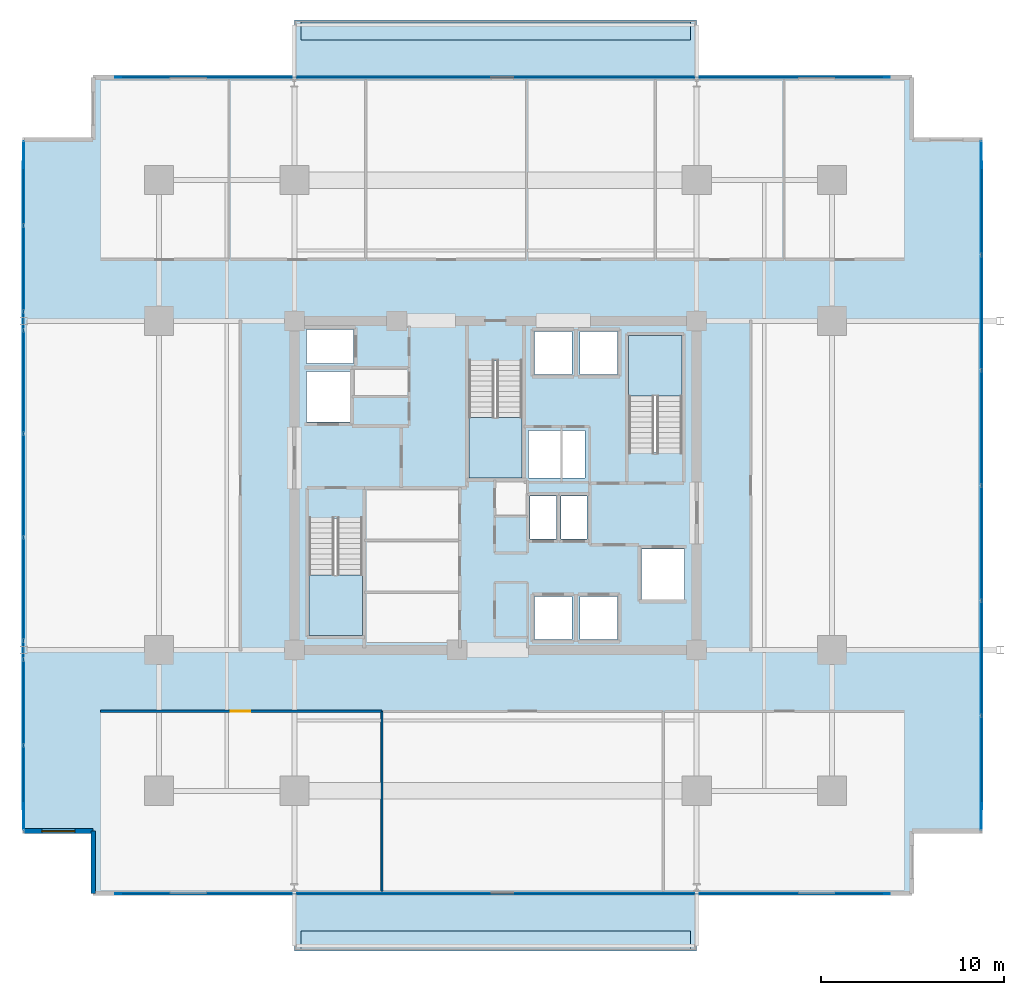
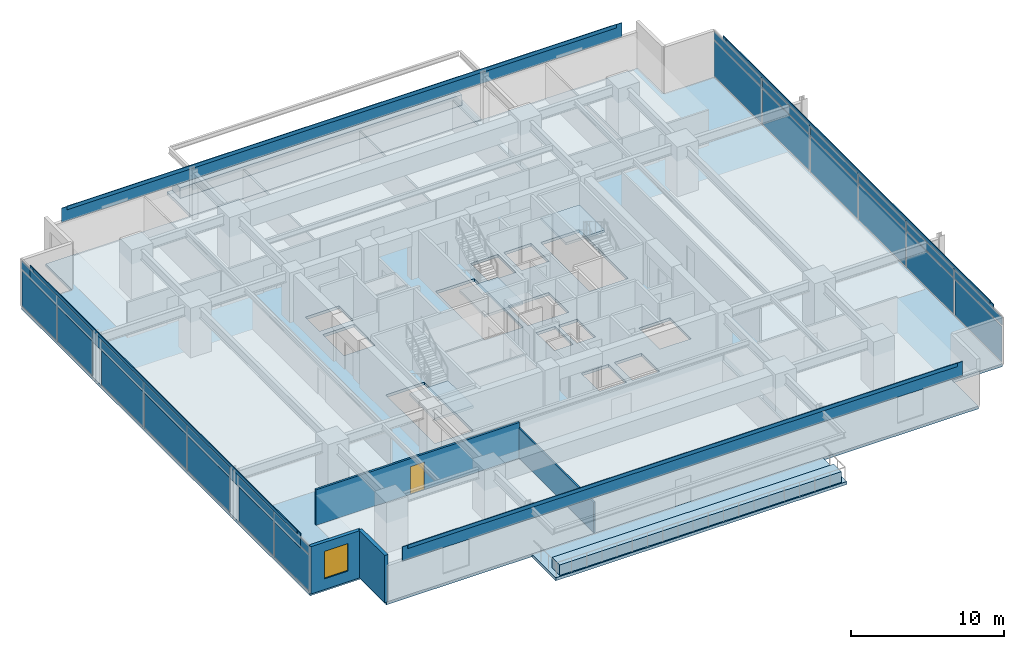
# One storey, part 14 of 23: 34 plates, 8 slabs, 4 walls, 1 door, 1 window, 2 openings, 7 elements without a shape of their own.
"""IFC4 building model written with IfcOpenShell, lengths in metres."""

from ifc_helpers import new_model, si_unit, direction, frame, frame_2d, origin, origin_2d, place, context, subcontext, project, spatial, polyline, rectangle, outline, extrude, material, layer, layer_set, type_object, element, fill, aggregate, save


model = new_model("IFC4")

# Units and contexts
model_context = context("Model", 3, precision=1e-05, world=origin(), true_north=direction((0.0, 1.0)))
body_context = subcontext(model_context, "Body", "Model", "MODEL_VIEW")
ifc_project = project(units=[si_unit("LENGTHUNIT", "METRE"), si_unit("AREAUNIT", "SQUARE_METRE"), si_unit("VOLUMEUNIT", "CUBIC_METRE"), si_unit("PLANEANGLEUNIT", "RADIAN"), si_unit("MASSUNIT", "GRAM", prefix="KILO")], contexts=[model_context])

# Site, building, storey
site_placement = place(None, origin())
site = spatial("IfcSite", under=ifc_project, at=site_placement, CompositionType="ELEMENT")
building_placement = place(site_placement, origin())
building = spatial("IfcBuilding", under=site, at=building_placement, Name="Kovane Verandah Tower", CompositionType="ELEMENT")
storey_placement = place(building_placement, frame((0.0, 0.0, 148.39990234375)))
storey = spatial("IfcBuildingStorey", under=building, at=storey_placement, Name="L34", CompositionType="ELEMENT", Elevation=148.39990234375)

# Curtain wall, plates
ifc_material_1 = material(Name="Champagne Anodised Aluminium Frame with Low-E Clear Laminated Glass", Category="aluminium")
curtain_wall_type = type_object("IfcCurtainWallType", Name="CW-SYS-03-MID", PredefinedType="NOTDEFINED", material=ifc_material_1)
curtain_wall_1_placement = place(storey_placement, origin())
curtain_wall_1 = element("IfcCurtainWall", 1, at=curtain_wall_1_placement, inside=storey, type_object=curtain_wall_type, Name="L34 E Unitised Curtain Wall", PredefinedType="NOTDEFINED")
ifc_material_2 = material(Name="Pale Champagne Anodised Aluminium Insulated Spandrel", Category="aluminium")
ifc_layer_1 = layer(ifc_material_2, 0.0400390625)
ifc_layer_set_1 = layer_set([ifc_layer_1], Name="Pale Champagne Anodised Aluminium Insulated Spandrel")
plate_type_1 = type_object("IfcPlateType", Name="PL-CW-SPD-40", PredefinedType="SHEET", material=ifc_layer_set_1)
plate_1_placement = place(storey_placement, frame((66.5634765625, 11.7470703125, 3.044921875), z_axis=(0.0, 0.0, 1.0), x_axis=(0.0, 1.0, 0.0)))
plate_1 = element("IfcPlate", 2, at=plate_1_placement, type_object=plate_type_1, Name="L34 E Unitised Curtain Wall Spandrel Panel 1", PredefinedType="SHEET", context=body_context, shape_type="SweptSolid", body=[
    extrude(rectangle(XDim=6.1611328125, YDim=0.0400390625, at=origin_2d()), origin(), (0.0, 0.0, 1.0), 0.639892578125),
])
plate_2_placement = place(storey_placement, frame((66.5634765625, 18.048095703125, 3.044921875), z_axis=(0.0, 0.0, 1.0), x_axis=(0.0, 1.0, 0.0)))
plate_2 = element("IfcPlate", 3, at=plate_2_placement, type_object=plate_type_1, Name="L34 E Unitised Curtain Wall Spandrel Panel 2", PredefinedType="SHEET", context=body_context, shape_type="SweptSolid", body=[
    extrude(rectangle(XDim=6.1611328125, YDim=0.0400390625, at=origin_2d()), origin(), (0.0, 0.0, 1.0), 0.639892578125),
])
plate_3_placement = place(storey_placement, frame((66.5634765625, 24.349365234375, 3.044921875), z_axis=(0.0, 0.0, 1.0), x_axis=(0.0, 1.0, 0.0)))
plate_3 = element("IfcPlate", 4, at=plate_3_placement, type_object=plate_type_1, Name="L34 E Unitised Curtain Wall Spandrel Panel 3", PredefinedType="SHEET", context=body_context, shape_type="SweptSolid", body=[
    extrude(rectangle(XDim=6.1611328125, YDim=0.0400390625, at=origin_2d()), origin(), (0.0, 0.0, 1.0), 0.639892578125),
])
plate_4_placement = place(storey_placement, frame((66.5634765625, 30.650634765625, 3.044921875), z_axis=(0.0, 0.0, 1.0), x_axis=(0.0, 1.0, 0.0)))
plate_4 = element("IfcPlate", 5, at=plate_4_placement, type_object=plate_type_1, Name="L34 E Unitised Curtain Wall Spandrel Panel 4", PredefinedType="SHEET", context=body_context, shape_type="SweptSolid", body=[
    extrude(rectangle(XDim=6.1611328125, YDim=0.0400390625, at=origin_2d()), origin(), (0.0, 0.0, 1.0), 0.639892578125),
])
plate_5_placement = place(storey_placement, frame((66.5634765625, 36.951904296875, 3.044921875), z_axis=(0.0, 0.0, 1.0), x_axis=(0.0, 1.0, 0.0)))
plate_5 = element("IfcPlate", 6, at=plate_5_placement, type_object=plate_type_1, Name="L34 E Unitised Curtain Wall Spandrel Panel 5", PredefinedType="SHEET", context=body_context, shape_type="SweptSolid", body=[
    extrude(rectangle(XDim=6.1611328125, YDim=0.0400390625, at=origin_2d()), origin(), (0.0, 0.0, 1.0), 0.639892578125),
])
plate_6_placement = place(storey_placement, frame((66.5634765625, 43.2529296875, 3.044921875), z_axis=(0.0, 0.0, 1.0), x_axis=(0.0, 1.0, 0.0)))
plate_6 = element("IfcPlate", 7, at=plate_6_placement, type_object=plate_type_1, Name="L34 E Unitised Curtain Wall Spandrel Panel 6", PredefinedType="SHEET", context=body_context, shape_type="SweptSolid", body=[
    extrude(rectangle(XDim=6.1611328125, YDim=0.0400390625, at=origin_2d()), origin(), (0.0, 0.0, 1.0), 0.639892578125),
])

curtain_wall_2_placement = place(storey_placement, origin())
curtain_wall_2 = element("IfcCurtainWall", 8, at=curtain_wall_2_placement, inside=storey, type_object=curtain_wall_type, Name="L34 W Unitised Curtain Wall-1", PredefinedType="NOTDEFINED")
plate_7_placement = place(storey_placement, frame((14.19482421875, 44.0576171875, 3.044921875), z_axis=(0.0, 0.0, 1.0), x_axis=(0.0, -1.0, 0.0)))
plate_7 = element("IfcPlate", 9, at=plate_7_placement, type_object=plate_type_1, Name="L34 W Unitised Curtain Wall-1 Spandrel Panel 1", PredefinedType="SHEET", context=body_context, shape_type="SweptSolid", body=[
    extrude(rectangle(XDim=4.5517578125, YDim=0.0400390625, at=origin_2d()), origin(), (0.0, 0.0, 1.0), 0.639892578125),
])
plate_8_placement = place(storey_placement, frame((14.19482421875, 39.365966796875, 3.044921875), z_axis=(0.0, 0.0, 1.0), x_axis=(0.0, -1.0, 0.0)))
plate_8 = element("IfcPlate", 10, at=plate_8_placement, type_object=plate_type_1, Name="L34 W Unitised Curtain Wall-1 Spandrel Panel 2", PredefinedType="SHEET", context=body_context, shape_type="SweptSolid", body=[
    extrude(rectangle(XDim=4.5517578125, YDim=0.0400390625, at=origin_2d()), origin(), (0.0, 0.0, 1.0), 0.639892578125),
])

curtain_wall_3_placement = place(storey_placement, origin())
curtain_wall_3 = element("IfcCurtainWall", 11, at=curtain_wall_3_placement, inside=storey, type_object=curtain_wall_type, Name="L34 W Unitised Curtain Wall-2", PredefinedType="NOTDEFINED")
plate_9_placement = place(storey_placement, frame((14.19482421875, 33.1533203125, 3.044921875), z_axis=(0.0, 0.0, 1.0), x_axis=(0.0, -1.0, 0.0)))
plate_9 = element("IfcPlate", 12, at=plate_9_placement, type_object=plate_type_1, Name="L34 W Unitised Curtain Wall-2 Spandrel Panel 1", PredefinedType="SHEET", context=body_context, shape_type="SweptSolid", body=[
    extrude(rectangle(XDim=5.51318359375, YDim=0.0400390625, at=origin_2d()), origin(), (0.0, 0.0, 1.0), 0.639892578125),
])
plate_10_placement = place(storey_placement, frame((14.19482421875, 27.5, 3.044921875), z_axis=(0.0, 0.0, 1.0), x_axis=(0.0, -1.0, 0.0)))
plate_10 = element("IfcPlate", 13, at=plate_10_placement, type_object=plate_type_1, Name="L34 W Unitised Curtain Wall-2 Spandrel Panel 2", PredefinedType="SHEET", context=body_context, shape_type="SweptSolid", body=[
    extrude(rectangle(XDim=5.51318359375, YDim=0.0400390625, at=origin_2d()), origin(), (0.0, 0.0, 1.0), 0.639892578125),
])
plate_11_placement = place(storey_placement, frame((14.19482421875, 21.8466796875, 3.044921875), z_axis=(0.0, 0.0, 1.0), x_axis=(0.0, -1.0, 0.0)))
plate_11 = element("IfcPlate", 14, at=plate_11_placement, type_object=plate_type_1, Name="L34 W Unitised Curtain Wall-2 Spandrel Panel 3", PredefinedType="SHEET", context=body_context, shape_type="SweptSolid", body=[
    extrude(rectangle(XDim=5.51318359375, YDim=0.0400390625, at=origin_2d()), origin(), (0.0, 0.0, 1.0), 0.639892578125),
])

curtain_wall_4_placement = place(storey_placement, origin())
curtain_wall_4 = element("IfcCurtainWall", 15, at=curtain_wall_4_placement, inside=storey, type_object=curtain_wall_type, Name="L34 W Unitised Curtain Wall-3", PredefinedType="NOTDEFINED")
plate_12_placement = place(storey_placement, frame((14.19482421875, 15.634033203125, 3.044921875), z_axis=(0.0, 0.0, 1.0), x_axis=(0.0, -1.0, 0.0)))
plate_12 = element("IfcPlate", 16, at=plate_12_placement, type_object=plate_type_1, Name="L34 W Unitised Curtain Wall-3 Spandrel Panel 1", PredefinedType="SHEET", context=body_context, shape_type="SweptSolid", body=[
    extrude(rectangle(XDim=4.5517578125, YDim=0.0400390625, at=origin_2d()), origin(), (0.0, 0.0, 1.0), 0.639892578125),
])
plate_13_placement = place(storey_placement, frame((14.19482421875, 10.9423828125, 3.044921875), z_axis=(0.0, 0.0, 1.0), x_axis=(0.0, -1.0, 0.0)))
plate_13 = element("IfcPlate", 17, at=plate_13_placement, type_object=plate_type_1, Name="L34 W Unitised Curtain Wall-3 Spandrel Panel 2", PredefinedType="SHEET", context=body_context, shape_type="SweptSolid", body=[
    extrude(rectangle(XDim=4.5517578125, YDim=0.0400390625, at=origin_2d()), origin(), (0.0, 0.0, 1.0), 0.639892578125),
])

# Plate
ifc_material_3 = material(Name="Clear Low-E Laminated Double Glazing", Category="glass")
ifc_layer_2 = layer(ifc_material_3, 0.031982421875)
ifc_layer_set_2 = layer_set([ifc_layer_2], Name="Clear Low-E Laminated Double Glazing")
plate_type_2 = type_object("IfcPlateType", Name="PL-CW-VIS-32", PredefinedType="CURTAIN_PANEL", material=ifc_layer_set_2)
plate_14_placement = place(storey_placement, frame((66.5634765625, 11.7470703125, 0.10009765625), z_axis=(0.0, 0.0, 1.0), x_axis=(0.0, 1.0, 0.0)))
plate_14 = element("IfcPlate", 18, at=plate_14_placement, type_object=plate_type_2, Name="L34 E Unitised Curtain Wall Vision Panel 1", PredefinedType="CURTAIN_PANEL", context=body_context, shape_type="SweptSolid", body=[
    extrude(rectangle(XDim=6.1611328125, YDim=0.031982421875, at=origin_2d()), origin(), (0.0, 0.0, 1.0), 2.844970703125),
])

plate_15_placement = place(storey_placement, frame((66.5634765625, 18.048095703125, 0.10009765625), z_axis=(0.0, 0.0, 1.0), x_axis=(0.0, 1.0, 0.0)))
plate_15 = element("IfcPlate", 19, at=plate_15_placement, type_object=plate_type_2, Name="L34 E Unitised Curtain Wall Vision Panel 2", PredefinedType="CURTAIN_PANEL", context=body_context, shape_type="SweptSolid", body=[
    extrude(rectangle(XDim=6.1611328125, YDim=0.031982421875, at=origin_2d()), origin(), (0.0, 0.0, 1.0), 2.844970703125),
])

plate_16_placement = place(storey_placement, frame((66.5634765625, 24.349365234375, 0.10009765625), z_axis=(0.0, 0.0, 1.0), x_axis=(0.0, 1.0, 0.0)))
plate_16 = element("IfcPlate", 20, at=plate_16_placement, type_object=plate_type_2, Name="L34 E Unitised Curtain Wall Vision Panel 3", PredefinedType="CURTAIN_PANEL", context=body_context, shape_type="SweptSolid", body=[
    extrude(rectangle(XDim=6.1611328125, YDim=0.031982421875, at=origin_2d()), origin(), (0.0, 0.0, 1.0), 2.844970703125),
])

plate_17_placement = place(storey_placement, frame((66.5634765625, 30.650634765625, 0.10009765625), z_axis=(0.0, 0.0, 1.0), x_axis=(0.0, 1.0, 0.0)))
plate_17 = element("IfcPlate", 21, at=plate_17_placement, type_object=plate_type_2, Name="L34 E Unitised Curtain Wall Vision Panel 4", PredefinedType="CURTAIN_PANEL", context=body_context, shape_type="SweptSolid", body=[
    extrude(rectangle(XDim=6.1611328125, YDim=0.031982421875, at=origin_2d()), origin(), (0.0, 0.0, 1.0), 2.844970703125),
])

plate_18_placement = place(storey_placement, frame((66.5634765625, 36.951904296875, 0.10009765625), z_axis=(0.0, 0.0, 1.0), x_axis=(0.0, 1.0, 0.0)))
plate_18 = element("IfcPlate", 22, at=plate_18_placement, type_object=plate_type_2, Name="L34 E Unitised Curtain Wall Vision Panel 5", PredefinedType="CURTAIN_PANEL", context=body_context, shape_type="SweptSolid", body=[
    extrude(rectangle(XDim=6.1611328125, YDim=0.031982421875, at=origin_2d()), origin(), (0.0, 0.0, 1.0), 2.844970703125),
])

plate_19_placement = place(storey_placement, frame((66.5634765625, 43.2529296875, 0.10009765625), z_axis=(0.0, 0.0, 1.0), x_axis=(0.0, 1.0, 0.0)))
plate_19 = element("IfcPlate", 23, at=plate_19_placement, type_object=plate_type_2, Name="L34 E Unitised Curtain Wall Vision Panel 6", PredefinedType="CURTAIN_PANEL", context=body_context, shape_type="SweptSolid", body=[
    extrude(rectangle(XDim=6.1611328125, YDim=0.031982421875, at=origin_2d()), origin(), (0.0, 0.0, 1.0), 2.844970703125),
])

aggregate(curtain_wall_1, [plate_14, plate_1, plate_15, plate_2, plate_16, plate_3, plate_17, plate_4, plate_18, plate_5, plate_19, plate_6])

plate_20_placement = place(storey_placement, frame((14.19482421875, 44.0576171875, 0.10009765625), z_axis=(0.0, 0.0, 1.0), x_axis=(0.0, -1.0, 0.0)))
plate_20 = element("IfcPlate", 24, at=plate_20_placement, type_object=plate_type_2, Name="L34 W Unitised Curtain Wall-1 Vision Panel 1", PredefinedType="CURTAIN_PANEL", context=body_context, shape_type="SweptSolid", body=[
    extrude(rectangle(XDim=4.5517578125, YDim=0.031982421875, at=origin_2d()), origin(), (0.0, 0.0, 1.0), 2.844970703125),
])

plate_21_placement = place(storey_placement, frame((14.19482421875, 39.365966796875, 0.10009765625), z_axis=(0.0, 0.0, 1.0), x_axis=(0.0, -1.0, 0.0)))
plate_21 = element("IfcPlate", 25, at=plate_21_placement, type_object=plate_type_2, Name="L34 W Unitised Curtain Wall-1 Vision Panel 2", PredefinedType="CURTAIN_PANEL", context=body_context, shape_type="SweptSolid", body=[
    extrude(rectangle(XDim=4.5517578125, YDim=0.031982421875, at=origin_2d()), origin(), (0.0, 0.0, 1.0), 2.844970703125),
])

aggregate(curtain_wall_2, [plate_20, plate_7, plate_21, plate_8])

plate_22_placement = place(storey_placement, frame((14.19482421875, 33.1533203125, 0.10009765625), z_axis=(0.0, 0.0, 1.0), x_axis=(0.0, -1.0, 0.0)))
plate_22 = element("IfcPlate", 26, at=plate_22_placement, type_object=plate_type_2, Name="L34 W Unitised Curtain Wall-2 Vision Panel 1", PredefinedType="CURTAIN_PANEL", context=body_context, shape_type="SweptSolid", body=[
    extrude(rectangle(XDim=5.51318359375, YDim=0.031982421875, at=origin_2d()), origin(), (0.0, 0.0, 1.0), 2.844970703125),
])

plate_23_placement = place(storey_placement, frame((14.19482421875, 27.5, 0.10009765625), z_axis=(0.0, 0.0, 1.0), x_axis=(0.0, -1.0, 0.0)))
plate_23 = element("IfcPlate", 27, at=plate_23_placement, type_object=plate_type_2, Name="L34 W Unitised Curtain Wall-2 Vision Panel 2", PredefinedType="CURTAIN_PANEL", context=body_context, shape_type="SweptSolid", body=[
    extrude(rectangle(XDim=5.51318359375, YDim=0.031982421875, at=origin_2d()), origin(), (0.0, 0.0, 1.0), 2.844970703125),
])

plate_24_placement = place(storey_placement, frame((14.19482421875, 21.8466796875, 0.10009765625), z_axis=(0.0, 0.0, 1.0), x_axis=(0.0, -1.0, 0.0)))
plate_24 = element("IfcPlate", 28, at=plate_24_placement, type_object=plate_type_2, Name="L34 W Unitised Curtain Wall-2 Vision Panel 3", PredefinedType="CURTAIN_PANEL", context=body_context, shape_type="SweptSolid", body=[
    extrude(rectangle(XDim=5.51318359375, YDim=0.031982421875, at=origin_2d()), origin(), (0.0, 0.0, 1.0), 2.844970703125),
])

aggregate(curtain_wall_3, [plate_22, plate_9, plate_23, plate_10, plate_24, plate_11])

plate_25_placement = place(storey_placement, frame((14.19482421875, 15.634033203125, 0.10009765625), z_axis=(0.0, 0.0, 1.0), x_axis=(0.0, -1.0, 0.0)))
plate_25 = element("IfcPlate", 29, at=plate_25_placement, type_object=plate_type_2, Name="L34 W Unitised Curtain Wall-3 Vision Panel 1", PredefinedType="CURTAIN_PANEL", context=body_context, shape_type="SweptSolid", body=[
    extrude(rectangle(XDim=4.5517578125, YDim=0.031982421875, at=origin_2d()), origin(), (0.0, 0.0, 1.0), 2.844970703125),
])

plate_26_placement = place(storey_placement, frame((14.19482421875, 10.9423828125, 0.10009765625), z_axis=(0.0, 0.0, 1.0), x_axis=(0.0, -1.0, 0.0)))
plate_26 = element("IfcPlate", 30, at=plate_26_placement, type_object=plate_type_2, Name="L34 W Unitised Curtain Wall-3 Vision Panel 2", PredefinedType="CURTAIN_PANEL", context=body_context, shape_type="SweptSolid", body=[
    extrude(rectangle(XDim=4.5517578125, YDim=0.031982421875, at=origin_2d()), origin(), (0.0, 0.0, 1.0), 2.844970703125),
])

aggregate(curtain_wall_4, [plate_25, plate_12, plate_26, plate_13])

# Plates
ifc_material_4 = material(Name="Perforated Pale Champagne Anodised Aluminium Solar Screen", Category="aluminium")
ifc_layer_3 = layer(ifc_material_4, 0.050048828125)
ifc_layer_set_3 = layer_set([ifc_layer_3], Name="Perforated Pale Champagne Anodised Aluminium Solar Screen")
plate_type_3 = type_object("IfcPlateType", Name="PL-SCREEN-50", PredefinedType="USERDEFINED", material=ifc_layer_set_3)
plate_27_placement = place(storey_placement, frame((40.379150390625, 5.181396484375, 2.875244140625), z_axis=(0.0, 0.0, 1.0), x_axis=(1.0, 0.0, 0.0)))
element("IfcPlate", 31, at=plate_27_placement, inside=storey, type_object=plate_type_3, Name="L34 S Perforated Champagne-Gold Solar Screen", ObjectType="SCREEN", PredefinedType="USERDEFINED", context=body_context, shape_type="SweptSolid", body=[
    extrude(rectangle(XDim=42.368896484375, YDim=0.050048828125, at=origin_2d()), origin(), (0.0, 0.0, 1.0), 1.14990234375),
])
plate_28_placement = place(storey_placement, frame((66.57861328125, 27.5, 2.875244140625), z_axis=(0.0, 0.0, 1.0), x_axis=(0.0, 1.0, 0.0)))
element("IfcPlate", 32, at=plate_28_placement, inside=storey, type_object=plate_type_3, Name="L34 E Perforated Champagne-Gold Solar Screen", ObjectType="SCREEN", PredefinedType="USERDEFINED", context=body_context, shape_type="SweptSolid", body=[
    extrude(rectangle(XDim=35.406982421875, YDim=0.050048828125, at=origin_2d()), origin(), (0.0, 0.0, 1.0), 1.14990234375),
])
plate_29_placement = place(storey_placement, frame((40.379150390625, 49.818603515625, 2.875244140625), z_axis=(0.0, 0.0, 1.0), x_axis=(-1.0, 0.0, 0.0)))
element("IfcPlate", 33, at=plate_29_placement, inside=storey, type_object=plate_type_3, Name="L34 N Perforated Champagne-Gold Solar Screen", ObjectType="SCREEN", PredefinedType="USERDEFINED", context=body_context, shape_type="SweptSolid", body=[
    extrude(rectangle(XDim=42.368896484375, YDim=0.050048828125, at=origin_2d()), origin(), (0.0, 0.0, 1.0), 1.14990234375),
])
plate_30_placement = place(storey_placement, frame((14.1796875, 27.5, 2.875244140625), z_axis=(0.0, 0.0, 1.0), x_axis=(0.0, -1.0, 0.0)))
element("IfcPlate", 34, at=plate_30_placement, inside=storey, type_object=plate_type_3, Name="L34 W Perforated Champagne-Gold Solar Screen", ObjectType="SCREEN", PredefinedType="USERDEFINED", context=body_context, shape_type="SweptSolid", body=[
    extrude(rectangle(XDim=35.406982421875, YDim=0.050048828125, at=origin_2d()), origin(), (0.0, 0.0, 1.0), 1.14990234375),
])
ifc_material_5 = material(Name="Extruded Pale-Bronze Aluminium Aerofoil Sunshade", Category="aluminium")
ifc_layer_4 = layer(ifc_material_5, 0.06005859375)
ifc_layer_set_4 = layer_set([ifc_layer_4], Name="Extruded Pale-Bronze Aluminium Aerofoil Sunshade")
plate_type_4 = type_object("IfcPlateType", Name="PL-SUNSHADE-60", PredefinedType="USERDEFINED", material=ifc_layer_set_4)
plate_31_placement = place(storey_placement, frame((40.379150390625, 5.176513671875, 3.7548828125), z_axis=(0.0, 0.0, 1.0), x_axis=(1.0, 0.0, 0.0)))
element("IfcPlate", 35, at=plate_31_placement, inside=storey, type_object=plate_type_4, Name="L34 S Subtropical Aerofoil Sunshade", ObjectType="SUNSHADE", PredefinedType="USERDEFINED", context=body_context, shape_type="SweptSolid", body=[
    extrude(rectangle(XDim=41.569091796875, YDim=0.06005859375, at=origin_2d()), origin(), (0.0, 0.0, 1.0), 0.280029296875),
])
plate_32_placement = place(storey_placement, frame((66.58349609375, 27.5, 3.7548828125), z_axis=(0.0, 0.0, 1.0), x_axis=(0.0, 1.0, 0.0)))
element("IfcPlate", 36, at=plate_32_placement, inside=storey, type_object=plate_type_4, Name="L34 E Subtropical Aerofoil Sunshade", ObjectType="SUNSHADE", PredefinedType="USERDEFINED", context=body_context, shape_type="SweptSolid", body=[
    extrude(rectangle(XDim=34.60693359375, YDim=0.06005859375, at=origin_2d()), origin(), (0.0, 0.0, 1.0), 0.280029296875),
])
plate_33_placement = place(storey_placement, frame((40.379150390625, 49.823486328125, 3.7548828125), z_axis=(0.0, 0.0, 1.0), x_axis=(-1.0, 0.0, 0.0)))
element("IfcPlate", 37, at=plate_33_placement, inside=storey, type_object=plate_type_4, Name="L34 N Subtropical Aerofoil Sunshade", ObjectType="SUNSHADE", PredefinedType="USERDEFINED", context=body_context, shape_type="SweptSolid", body=[
    extrude(rectangle(XDim=41.569091796875, YDim=0.06005859375, at=origin_2d()), origin(), (0.0, 0.0, 1.0), 0.280029296875),
])
plate_34_placement = place(storey_placement, frame((14.1748046875, 27.5, 3.7548828125), z_axis=(0.0, 0.0, 1.0), x_axis=(0.0, -1.0, 0.0)))
element("IfcPlate", 38, at=plate_34_placement, inside=storey, type_object=plate_type_4, Name="L34 W Subtropical Aerofoil Sunshade", ObjectType="SUNSHADE", PredefinedType="USERDEFINED", context=body_context, shape_type="SweptSolid", body=[
    extrude(rectangle(XDim=34.60693359375, YDim=0.06005859375, at=origin_2d()), origin(), (0.0, 0.0, 1.0), 0.280029296875),
])

# Slabs
ifc_material_6 = material(Name="Concrete C45/55", Category="concrete")
ifc_layer_5 = layer(ifc_material_6, 0.239990234375)
ifc_layer_set_5 = layer_set([ifc_layer_5], Name="Concrete C45/55")
slab_type_1 = type_object("IfcSlabType", Name="SL-BALC-240", PredefinedType="FLOOR", material=ifc_layer_set_5)
slab_1_placement = place(storey_placement, frame((0.0, 0.0, -0.239990234375)))
element("IfcSlab", 39, at=slab_1_placement, inside=storey, type_object=slab_type_1, Name="L34 N Planted Verandah Balcony Slab", PredefinedType="FLOOR", context=body_context, shape_type="SweptSolid", body=[
    extrude(outline(polyline([(29.0, 49.8037109375), (51.0, 49.8037109375), (51.0, 52.95361328125), (29.0, 52.95361328125), (29.0, 49.8037109375)])), origin(), (0.0, 0.0, 1.0), 0.239990234375),
])
slab_2_placement = place(storey_placement, frame((0.0, 0.0, -0.239990234375)))
element("IfcSlab", 40, at=slab_2_placement, inside=storey, type_object=slab_type_1, Name="L34 S Planted Verandah Balcony Slab", PredefinedType="FLOOR", context=body_context, shape_type="SweptSolid", body=[
    extrude(outline(polyline([(29.0, 2.04638671875), (51.0, 2.04638671875), (51.0, 5.1962890625), (29.0, 5.1962890625), (29.0, 2.04638671875)])), origin(), (0.0, 0.0, 1.0), 0.239990234375),
])

# Stair, slab
stair_type = type_object("IfcStairType", Name="ST-CORE-1380", PredefinedType="HALF_TURN_STAIR", material=ifc_material_6)
stair_1_placement = place(storey_placement, origin())
stair_1 = element("IfcStair", 41, at=stair_1_placement, inside=storey, type_object=stair_type, Name="L34 Exit Stair ST-01", PredefinedType="HALF_TURN_STAIR")
ifc_layer_6 = layer(ifc_material_6, 0.199951171875)
ifc_layer_set_6 = layer_set([ifc_layer_6], Name="Concrete C45/55")
slab_type_2 = type_object("IfcSlabType", Name="SL-LAND-200", PredefinedType="LANDING", material=ifc_layer_set_6)
slab_3_placement = place(storey_placement, frame((0.0, 0.0, 1.800048828125)))
slab_3 = element("IfcSlab", 42, at=slab_3_placement, type_object=slab_type_2, Name="ST-01 landing 1", PredefinedType="LANDING", context=body_context, shape_type="SweptSolid", body=[
    extrude(outline(polyline([(29.800048828125, 22.614990234375), (29.800048828125, 19.300048828125), (32.719970703125, 19.300048828125), (32.719970703125, 22.614990234375), (29.800048828125, 22.614990234375)])), origin(), (0.0, 0.0, 1.0), 0.199951171875),
])
aggregate(stair_1, [slab_3])

stair_2_placement = place(storey_placement, origin())
stair_2 = element("IfcStair", 43, at=stair_2_placement, inside=storey, type_object=stair_type, Name="L34 Exit Stair ST-02", PredefinedType="HALF_TURN_STAIR")
slab_4_placement = place(storey_placement, frame((0.0, 0.0, 1.800048828125)))
slab_4 = element("IfcSlab", 44, at=slab_4_placement, type_object=slab_type_2, Name="ST-02 landing 1", PredefinedType="LANDING", context=body_context, shape_type="SweptSolid", body=[
    extrude(outline(polyline([(50.199951171875, 32.385009765625), (50.199951171875, 35.699951171875), (47.280029296875, 35.699951171875), (47.280029296875, 32.385009765625), (50.199951171875, 32.385009765625)])), origin(), (0.0, 0.0, 1.0), 0.199951171875),
])
aggregate(stair_2, [slab_4])

stair_3_placement = place(storey_placement, origin())
stair_3 = element("IfcStair", 45, at=stair_3_placement, inside=storey, type_object=stair_type, Name="L34 Exit Stair ST-03", PredefinedType="HALF_TURN_STAIR")
slab_5_placement = place(storey_placement, frame((0.0, 0.0, 1.800048828125)))
slab_5 = element("IfcSlab", 46, at=slab_5_placement, type_object=slab_type_2, Name="ST-03 landing 1", PredefinedType="LANDING", context=body_context, shape_type="SweptSolid", body=[
    extrude(outline(polyline([(38.5400390625, 31.215087890625), (38.5400390625, 27.89990234375), (41.4599609375, 27.89990234375), (41.4599609375, 31.215087890625), (38.5400390625, 31.215087890625)])), origin(), (0.0, 0.0, 1.0), 0.199951171875),
])
aggregate(stair_3, [slab_5])

# Slabs
ifc_layer_7 = layer(ifc_material_6, 0.22509765625)
ifc_layer_set_7 = layer_set([ifc_layer_7], Name="Concrete C45/55")
slab_type_3 = type_object("IfcSlabType", Name="SL-MID-225", PredefinedType="FLOOR", material=ifc_layer_set_7)
slab_6_placement = place(storey_placement, frame((0.0, 0.0, -0.224853515625)))
element("IfcSlab", 47, at=slab_6_placement, inside=storey, type_object=slab_type_3, Name="L34 Structural Floor Slab", PredefinedType="FLOOR", context=body_context, shape_type="SweptSolid", body=[
    extrude(outline(polyline([(17.994873046875, 5.1962890625), (62.763427734375, 5.1962890625), (62.763427734375, 8.596435546875), (66.5634765625, 8.596435546875), (66.5634765625, 46.403564453125), (62.763427734375, 46.403564453125), (62.763427734375, 49.8037109375), (17.994873046875, 49.8037109375), (17.994873046875, 46.403564453125), (14.19482421875, 46.403564453125), (14.19482421875, 8.596435546875), (17.994873046875, 8.596435546875), (17.994873046875, 5.1962890625)]), holes=[polyline([(29.800048828125, 19.300048828125), (32.719970703125, 19.300048828125), (32.719970703125, 25.705078125), (29.800048828125, 25.705078125), (29.800048828125, 19.300048828125)]), polyline([(47.280029296875, 29.294921875), (50.199951171875, 29.294921875), (50.199951171875, 35.699951171875), (47.280029296875, 35.699951171875), (47.280029296875, 29.294921875)]), polyline([(38.5400390625, 27.89990234375), (41.4599609375, 27.89990234375), (41.4599609375, 34.304931640625), (38.5400390625, 34.304931640625), (38.5400390625, 27.89990234375)]), polyline([(29.669921875, 30.969970703125), (32.030029296875, 30.969970703125), (32.030029296875, 33.72998046875), (29.669921875, 33.72998046875), (29.669921875, 30.969970703125)]), polyline([(47.969970703125, 21.27001953125), (50.330078125, 21.27001953125), (50.330078125, 24.030029296875), (47.969970703125, 24.030029296875), (47.969970703125, 21.27001953125)]), polyline([(29.669921875, 34.169921875), (32.22998046875, 34.169921875), (32.22998046875, 36.030029296875), (29.669921875, 36.030029296875), (29.669921875, 34.169921875)]), polyline([(42.1201171875, 19.070068359375), (44.179931640625, 19.070068359375), (44.179931640625, 21.429931640625), (42.1201171875, 21.429931640625), (42.1201171875, 19.070068359375)]), polyline([(44.6201171875, 19.070068359375), (46.679931640625, 19.070068359375), (46.679931640625, 21.429931640625), (44.6201171875, 21.429931640625), (44.6201171875, 19.070068359375)]), polyline([(41.8798828125, 24.570068359375), (43.320068359375, 24.570068359375), (43.320068359375, 26.929931640625), (41.8798828125, 26.929931640625), (41.8798828125, 24.570068359375)]), polyline([(43.580078125, 24.570068359375), (45.0, 24.570068359375), (45.0, 26.929931640625), (43.580078125, 26.929931640625), (43.580078125, 24.570068359375)]), polyline([(42.1201171875, 33.570068359375), (44.179931640625, 33.570068359375), (44.179931640625, 35.929931640625), (42.1201171875, 35.929931640625), (42.1201171875, 33.570068359375)]), polyline([(44.6201171875, 33.570068359375), (46.679931640625, 33.570068359375), (46.679931640625, 35.929931640625), (44.6201171875, 35.929931640625), (44.6201171875, 33.570068359375)]), polyline([(41.800048828125, 27.89990234375), (44.89990234375, 27.89990234375), (44.89990234375, 30.5), (41.800048828125, 30.5), (41.800048828125, 27.89990234375)])]), origin(), (0.0, 0.0, 1.0), 0.224853515625),
])
ifc_material_7 = material(Name="Architectural Precast Concrete C45/55 Planter Trough", Category="concrete")
ifc_layer_8 = layer(ifc_material_7, 0.219970703125)
ifc_layer_set_8 = layer_set([ifc_layer_8], Name="Architectural Precast Concrete C45/55 Planter Trough")
slab_type_4 = type_object("IfcSlabType", Name="SL-PLANTER-220", PredefinedType="USERDEFINED", material=ifc_layer_set_8)
slab_7_placement = place(storey_placement, origin())
element("IfcSlab", 48, at=slab_7_placement, inside=storey, type_object=slab_type_4, Name="L34 N Structural Tree Planter", ObjectType="PLANTER", PredefinedType="USERDEFINED", context=body_context, shape_type="SweptSolid", body=[
    extrude(outline(polyline([(29.35009765625, 51.853515625), (50.64990234375, 51.853515625), (50.64990234375, 52.853515625), (29.35009765625, 52.853515625), (29.35009765625, 51.853515625)])), origin(), (0.0, 0.0, 1.0), 0.85009765625),
])
slab_8_placement = place(storey_placement, origin())
element("IfcSlab", 49, at=slab_8_placement, inside=storey, type_object=slab_type_4, Name="L34 S Structural Tree Planter", ObjectType="PLANTER", PredefinedType="USERDEFINED", context=body_context, shape_type="SweptSolid", body=[
    extrude(outline(polyline([(29.35009765625, 2.146484375), (50.64990234375, 2.146484375), (50.64990234375, 3.146484375), (29.35009765625, 3.146484375), (29.35009765625, 2.146484375)])), origin(), (0.0, 0.0, 1.0), 0.85009765625),
])

# Wall, opening, door
ifc_material_8 = material(Name="Fire-Rated Gypsum Stud Partition", Category="gypsum")
ifc_layer_9 = layer(ifc_material_8, 0.14990234375)
ifc_layer_set_9 = layer_set([ifc_layer_9], Name="Fire-Rated Gypsum Stud Partition")
wall_type_1 = type_object("IfcWallType", Name="WL-COR-150", PredefinedType="PARTITIONING", material=ifc_layer_set_9)
wall_1_placement = place(storey_placement, frame((18.394775390625, 15.14990234375, 0.0), z_axis=(0.0, 0.0, 1.0), x_axis=(1.0, 0.0, 0.0)))
wall_1 = element("IfcWall", 50, at=wall_1_placement, inside=storey, type_object=wall_type_1, Name="L34 Executive Office S1 Corridor Partition", PredefinedType="PARTITIONING", context=body_context, shape_type="SweptSolid", body=[
    extrude(rectangle(XDim=15.388916015625, YDim=0.14990234375, at=frame_2d((7.6943359375, 0.0))), origin(), (0.0, 0.0, 1.0), 2.85009765625),
])
opening_1_placement = place(wall_1_placement, frame((7.134521484375, 0.0, 0.0)))
opening_1 = element("IfcOpeningElement", 51, at=opening_1_placement, cuts=wall_1, Name="Opening DR-L34-025", PredefinedType="OPENING", context=body_context, shape_type="SweptSolid", body=[
    extrude(rectangle(XDim=1.050048828125, YDim=2.199951171875, at=frame_2d((0.52490234375, 1.10009765625))), frame((0.0, 0.074951171875, 0.0), z_axis=(0.0, -1.0, 0.0), x_axis=(1.0, 0.0, 0.0)), (0.0, 0.0, 1.0), 0.14990234375),
])
ifc_material_9 = material(Name="FSC Blackbutt Timber Fire-Rated Executive Door", Category="wood")
door_type = type_object("IfcDoorType", Name="DR-EXEC-1050", OperationType="SINGLE_SWING_LEFT", PredefinedType="DOOR", material=ifc_material_9)
door_placement = place(opening_1_placement, origin())
door = element("IfcDoor", 52, at=door_placement, inside=storey, type_object=door_type, Name="L34 Executive Office S1 Entrance Door", OperationType="SINGLE_SWING_LEFT", OverallHeight=2.199951171875, OverallWidth=1.050048828125, PredefinedType="DOOR", context=body_context, shape_type="SweptSolid", body=[
    extrude(rectangle(XDim=1.050048828125, YDim=2.199951171875, at=frame_2d((0.52490234375, 1.10009765625))), frame((0.0, 0.02490234375, 0.0), z_axis=(0.0, -1.0, 0.0), x_axis=(1.0, 0.0, 0.0)), (0.0, 0.0, 1.0), 0.050048828125),
])
fill(opening_1, door)

# Wall
ifc_material_10 = material(Name="Acoustic Fire-Rated Gypsum Partition", Category="gypsum")
ifc_layer_10 = layer(ifc_material_10, 0.1201171875)
ifc_layer_set_10 = layer_set([ifc_layer_10], Name="Acoustic Fire-Rated Gypsum Partition")
wall_type_2 = type_object("IfcWallType", Name="WL-PART-120", PredefinedType="PARTITIONING", material=ifc_layer_set_10)
wall_2_placement = place(storey_placement, frame((33.78369140625, 5.29638671875, 0.0), z_axis=(0.0, 0.0, 1.0), x_axis=(0.0, 1.0, 0.0)))
element("IfcWall", 53, at=wall_2_placement, inside=storey, type_object=wall_type_2, Name="L34 Executive Office S1 Dividing Partition", PredefinedType="PARTITIONING", context=body_context, shape_type="SweptSolid", body=[
    extrude(rectangle(XDim=9.853515625, YDim=0.1201171875, at=frame_2d((4.9267578125, 0.0))), origin(), (0.0, 0.0, 1.0), 2.405029296875),
])

# Wall, opening, window
ifc_material_11 = material(Name="Concrete C45/55 Insulated Spandrel Wall", Category="concrete")
ifc_layer_11 = layer(ifc_material_11, 0.260009765625)
ifc_layer_set_11 = layer_set([ifc_layer_11], Name="Concrete C45/55 Insulated Spandrel Wall")
wall_type_3 = type_object("IfcWallType", Name="WL-SPANDREL-260", PredefinedType="PARAPET", material=ifc_layer_set_11)
wall_3_placement = place(storey_placement, frame((14.19482421875, 8.596435546875, 0.0), z_axis=(0.0, 0.0, 1.0), x_axis=(1.0, 0.0, 0.0)))
wall_3 = element("IfcWall", 54, at=wall_3_placement, inside=storey, type_object=wall_type_3, Name="L34 SW Notch Cheek Wall 1", PredefinedType="PARAPET", context=body_context, shape_type="SweptSolid", body=[
    extrude(rectangle(XDim=3.800048828125, YDim=0.260009765625, at=frame_2d((1.89990234375, 0.0))), origin(), (0.0, 0.0, 1.0), 3.775146484375),
])
opening_2_placement = place(wall_3_placement, frame((1.0, 0.0, 0.85009765625)))
opening_2 = element("IfcOpeningElement", 55, at=opening_2_placement, cuts=wall_3, Name="Opening W-03", PredefinedType="OPENING", context=body_context, shape_type="SweptSolid", body=[
    extrude(rectangle(XDim=1.800048828125, YDim=2.199951171875, at=frame_2d((0.89990234375, 1.10009765625))), frame((0.0, 0.1298828125, 0.0), z_axis=(0.0, -1.0, 0.0), x_axis=(1.0, 0.0, 0.0)), (0.0, 0.0, 1.0), 0.260009765625),
])
ifc_material_12 = material(Name="Clear Low-E Laminated Double Glazing in Anodised Frame", Category="glass")
window_type = type_object("IfcWindowType", Name="WN-NOTCH-1800x2200", PartitioningType="SINGLE_PANEL", PredefinedType="WINDOW", material=ifc_material_12)
window_placement = place(opening_2_placement, origin())
window = element("IfcWindow", 56, at=window_placement, inside=storey, type_object=window_type, Name="L34 SW Re-Entrant Corner Operable Window", OverallHeight=2.199951171875, OverallWidth=1.800048828125, PartitioningType="SINGLE_PANEL", PredefinedType="WINDOW", context=body_context, shape_type="SweptSolid", body=[
    extrude(rectangle(XDim=1.800048828125, YDim=2.199951171875, at=frame_2d((0.89990234375, 1.10009765625))), frame((0.0, 0.030029296875, 0.0), z_axis=(0.0, -1.0, 0.0), x_axis=(1.0, 0.0, 0.0)), (0.0, 0.0, 1.0), 0.06005859375),
])
fill(opening_2, window)

# Wall
wall_4_placement = place(storey_placement, frame((17.994873046875, 8.596435546875, 0.0), z_axis=(0.0, 0.0, 1.0), x_axis=(0.0, -1.0, 0.0)))
element("IfcWall", 57, at=wall_4_placement, inside=storey, type_object=wall_type_3, Name="L34 SW Notch Cheek Wall 2", PredefinedType="PARAPET", context=body_context, shape_type="SweptSolid", body=[
    extrude(rectangle(XDim=3.400146484375, YDim=0.260009765625, at=frame_2d((1.7001953125, 0.0))), origin(), (0.0, 0.0, 1.0), 3.775146484375),
])

save(model, "model.ifc")
